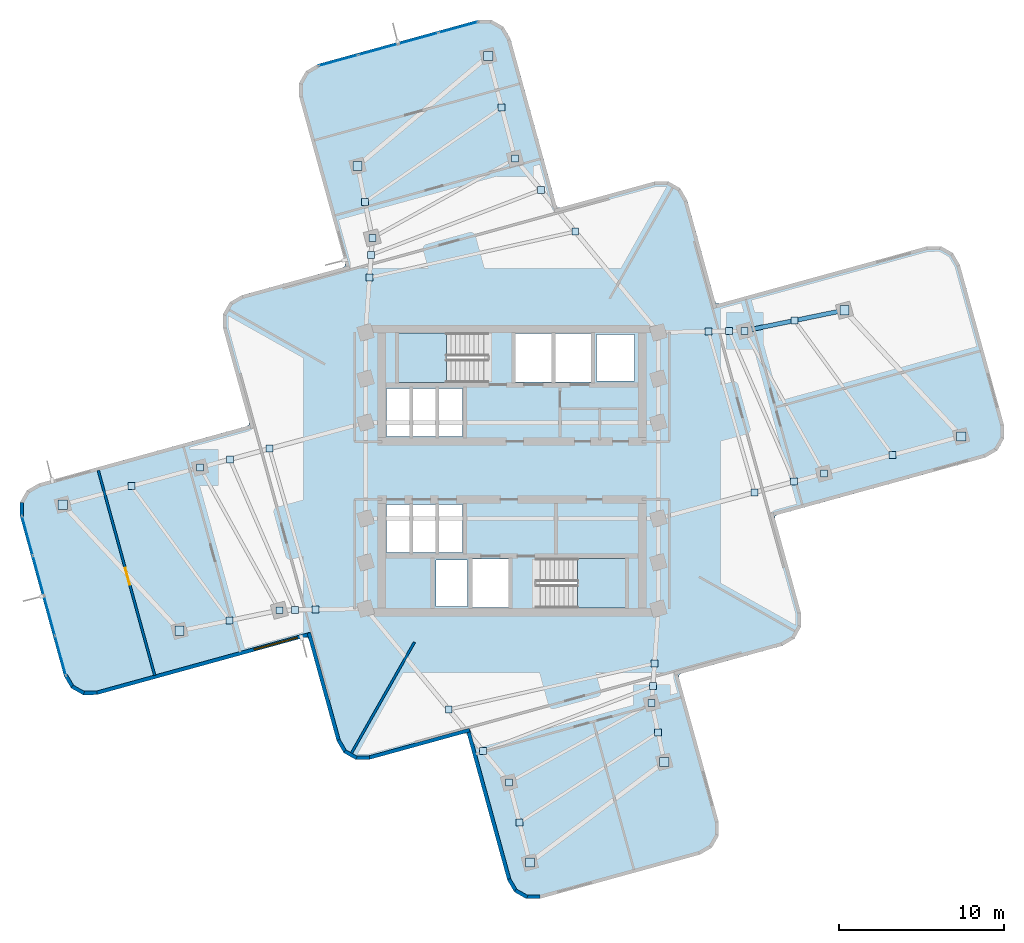
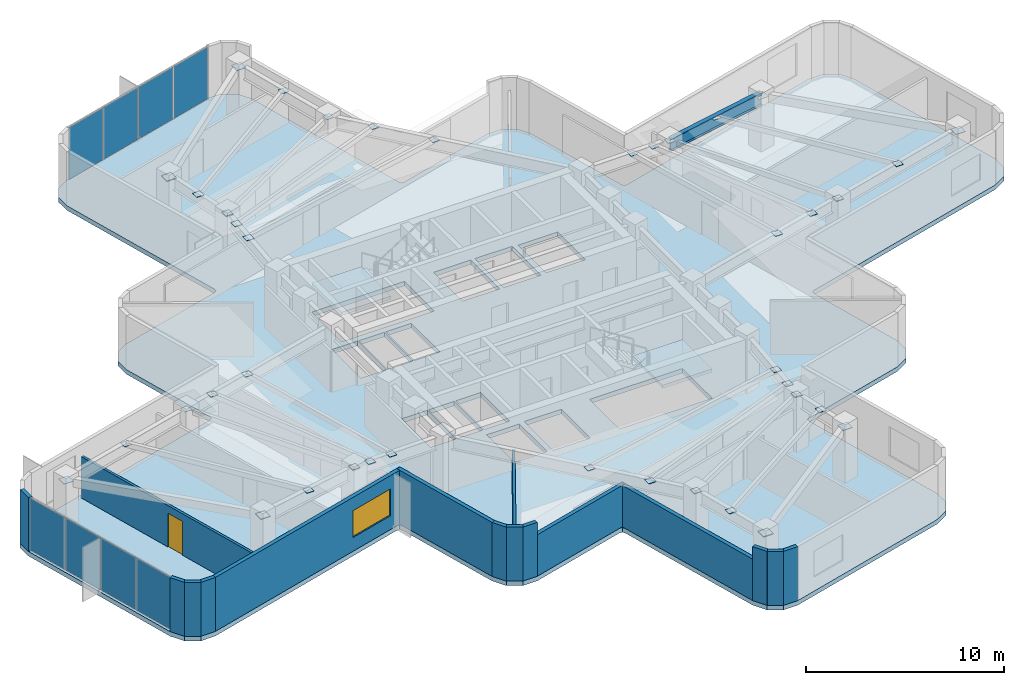
# One storey, part 6 of 12: 48 plates, 16 walls, 3 slabs, 1 beam, 1 door, 1 window, 2 openings, 4 elements without a shape of their own.
"""IFC4 building model written with IfcOpenShell, lengths in metres."""

from ifc_helpers import new_model, si_unit, direction, frame, frame_2d, origin, origin_2d, place, context, subcontext, project, spatial, polyline, rectangle, i_section, outline, extrude, material, layer, layer_set, material_profile, profile_set, type_object, element, fill, aggregate, save


model = new_model("IFC4")

# Units and contexts
model_context = context("Model", 3, precision=1e-05, world=origin(), true_north=direction((0.0, 1.0)))
body_context = subcontext(model_context, "Body", "Model", "MODEL_VIEW")
ifc_project = project(units=[si_unit("LENGTHUNIT", "METRE"), si_unit("AREAUNIT", "SQUARE_METRE"), si_unit("VOLUMEUNIT", "CUBIC_METRE"), si_unit("PLANEANGLEUNIT", "RADIAN"), si_unit("MASSUNIT", "GRAM", prefix="KILO")], contexts=[model_context])

# Site, building, storey
site_placement = place(None, origin())
site = spatial("IfcSite", under=ifc_project, at=site_placement, CompositionType="ELEMENT")
building_placement = place(site_placement, origin())
building = spatial("IfcBuilding", under=site, at=building_placement, Name="Solmarez Civic Tower", CompositionType="ELEMENT")
storey_placement = place(building_placement, frame((0.0, 0.0, 134.280029296875)))
storey = spatial("IfcBuildingStorey", under=building, at=storey_placement, Name="L35", CompositionType="ELEMENT", Elevation=134.280029296875)

# Beam
ifc_material_1 = material(Name="Steel S355", Category="steel")
ifc_material_profile = material_profile(ifc_material_1, i_section(OverallWidth=0.26708984375, OverallDepth=0.761962890625, WebThickness=0.014404296875, FlangeThickness=0.021484375, at=origin_2d()), Name="W30X116")
ifc_profile_set = profile_set([ifc_material_profile], Name="Steel S355")
beam_type = type_object("IfcBeamType", Name="BM-PR-W30X116", PredefinedType="BEAM", material=ifc_profile_set)
beam_placement = place(storey_placement, frame((14.06396484375, 8.445068359375, 2.93896484375), z_axis=(0.979311082476, 0.202360578523, 0.0), x_axis=(-0.202360578523, 0.979311082476, 0.0)))
element("IfcBeam", 1, at=beam_placement, inside=storey, type_object=beam_type, Name="L35 Primary Floor Beam BM-L35-EA-R2B", PredefinedType="BEAM", context=body_context, shape_type="SweptSolid", body=[
    extrude(i_section(OverallWidth=0.26708984375, OverallDepth=0.761962890625, WebThickness=0.014404296875, FlangeThickness=0.021484375, at=origin_2d()), origin(), (0.0, 0.0, 1.0), 6.161376953125),
])

# Curtain wall, plates
ifc_material_2 = material(Name="Bronze Anodised Aluminium EN AW-6063 T6", Category="aluminium")
ifc_layer_1 = layer(ifc_material_2, 0.175048828125)
ifc_layer_set_1 = layer_set([ifc_layer_1], Name="Bronze Anodised Aluminium EN AW-6063 T6")
curtain_wall_type = type_object("IfcCurtainWallType", Name="CW-SYS-3", PredefinedType="NOTDEFINED", material=ifc_layer_set_1)
curtain_wall_1_placement = place(storey_placement, origin())
curtain_wall_1 = element("IfcCurtainWall", 2, at=curtain_wall_1_placement, inside=storey, type_object=curtain_wall_type, Name="L35 Stick-Built Curtain Wall 1", PredefinedType="NOTDEFINED")
ifc_material_3 = material(Name="Solar Control Low-E Laminated Vision Glass", Category="glass")
ifc_layer_2 = layer(ifc_material_3, 0.035888671875)
ifc_layer_set_2 = layer_set([ifc_layer_2], Name="Solar Control Low-E Laminated Vision Glass")
plate_type_1 = type_object("IfcPlateType", Name="CWP-GLAZ-36", PredefinedType="CURTAIN_PANEL", material=ifc_layer_set_2)
plate_1_placement = place(storey_placement, frame((-27.29931640625, -11.187744140625, 0.06005859375), z_axis=(0.0, 0.0, 1.0), x_axis=(-0.265572271208, 0.964090954612, 0.0)))
plate_1 = element("IfcPlate", 3, at=plate_1_placement, type_object=plate_type_1, Name="CWS3 panel 1.1", PredefinedType="CURTAIN_PANEL", context=body_context, shape_type="SweptSolid", body=[
    extrude(rectangle(XDim=2.417724609375, YDim=0.035888671875, at=origin_2d()), origin(), (0.0, 0.0, 1.0), 3.199951171875),
])
plate_2_placement = place(storey_placement, frame((-27.962890625, -8.778564453125, 0.06005859375), z_axis=(0.0, 0.0, 1.0), x_axis=(-0.265572271208, 0.964090954612, 0.0)))
plate_2 = element("IfcPlate", 4, at=plate_2_placement, type_object=plate_type_1, Name="CWS3 panel 2.1", PredefinedType="CURTAIN_PANEL", context=body_context, shape_type="SweptSolid", body=[
    extrude(rectangle(XDim=2.450439453125, YDim=0.035888671875, at=origin_2d()), origin(), (0.0, 0.0, 1.0), 3.199951171875),
])
plate_3_placement = place(storey_placement, frame((-28.631103515625, -6.353515625, 0.06005859375), z_axis=(0.0, 0.0, 1.0), x_axis=(-0.265572271208, 0.964090954612, 0.0)))
plate_3 = element("IfcPlate", 5, at=plate_3_placement, type_object=plate_type_1, Name="CWS3 panel 3.1", PredefinedType="CURTAIN_PANEL", context=body_context, shape_type="SweptSolid", body=[
    extrude(rectangle(XDim=2.450439453125, YDim=0.035888671875, at=origin_2d()), origin(), (0.0, 0.0, 1.0), 3.199951171875),
])
plate_4_placement = place(storey_placement, frame((-29.294677734375, -3.944091796875, 0.06005859375), z_axis=(0.0, 0.0, 1.0), x_axis=(-0.265572271208, 0.964090954612, 0.0)))
plate_4 = element("IfcPlate", 6, at=plate_4_placement, type_object=plate_type_1, Name="CWS3 panel 4.1", PredefinedType="CURTAIN_PANEL", context=body_context, shape_type="SweptSolid", body=[
    extrude(rectangle(XDim=2.417724609375, YDim=0.035888671875, at=origin_2d()), origin(), (0.0, 0.0, 1.0), 3.199951171875),
])
aggregate(curtain_wall_1, [plate_1, plate_2, plate_3, plate_4])

curtain_wall_2_placement = place(storey_placement, origin())
curtain_wall_2 = element("IfcCurtainWall", 7, at=curtain_wall_2_placement, inside=storey, type_object=curtain_wall_type, Name="L35 Stick-Built Curtain Wall 2", PredefinedType="NOTDEFINED")
plate_5_placement = place(storey_placement, frame((-10.4970703125, 24.792236328125, 0.06005859375), z_axis=(0.0, 0.0, 1.0), x_axis=(0.964083943704, 0.265597721172, 0.0)))
plate_5 = element("IfcPlate", 8, at=plate_5_placement, type_object=plate_type_1, Name="CWS3 panel 1.1", PredefinedType="CURTAIN_PANEL", context=body_context, shape_type="SweptSolid", body=[
    extrude(rectangle(XDim=2.41748046875, YDim=0.035888671875, at=origin_2d()), origin(), (0.0, 0.0, 1.0), 3.199951171875),
])
plate_6_placement = place(storey_placement, frame((-8.087890625, 25.4560546875, 0.06005859375), z_axis=(0.0, 0.0, 1.0), x_axis=(0.964083943704, 0.265597721172, 0.0)))
plate_6 = element("IfcPlate", 9, at=plate_6_placement, type_object=plate_type_1, Name="CWS3 panel 2.1", PredefinedType="CURTAIN_PANEL", context=body_context, shape_type="SweptSolid", body=[
    extrude(rectangle(XDim=2.4501953125, YDim=0.035888671875, at=origin_2d()), origin(), (0.0, 0.0, 1.0), 3.199951171875),
])
plate_7_placement = place(storey_placement, frame((-5.6630859375, 26.1240234375, 0.06005859375), z_axis=(0.0, 0.0, 1.0), x_axis=(0.964083943704, 0.265597721172, 0.0)))
plate_7 = element("IfcPlate", 10, at=plate_7_placement, type_object=plate_type_1, Name="CWS3 panel 3.1", PredefinedType="CURTAIN_PANEL", context=body_context, shape_type="SweptSolid", body=[
    extrude(rectangle(XDim=2.4501953125, YDim=0.035888671875, at=origin_2d()), origin(), (0.0, 0.0, 1.0), 3.199951171875),
])
plate_8_placement = place(storey_placement, frame((-3.254150390625, 26.78759765625, 0.06005859375), z_axis=(0.0, 0.0, 1.0), x_axis=(0.964083943704, 0.265597721172, 0.0)))
plate_8 = element("IfcPlate", 11, at=plate_8_placement, type_object=plate_type_1, Name="CWS3 panel 4.1", PredefinedType="CURTAIN_PANEL", context=body_context, shape_type="SweptSolid", body=[
    extrude(rectangle(XDim=2.41748046875, YDim=0.035888671875, at=origin_2d()), origin(), (0.0, 0.0, 1.0), 3.199951171875),
])
aggregate(curtain_wall_2, [plate_5, plate_6, plate_7, plate_8])

# Plates
ifc_layer_3 = layer(ifc_material_1, 0.02392578125)
ifc_layer_set_3 = layer_set([ifc_layer_3], Name="Steel S355")
plate_type_2 = type_object("IfcPlateType", Name="PLT-CAP-380", PredefinedType="USERDEFINED", material=ifc_layer_set_3)
for number, where, z_axis, x_axis, name in (
    (12, (18.860107421875, -0.18310546875, 3.157958984375), (0.0, 0.0, 1.0), (1.0, 0.0, 0.0), "Steel Member End Cap Plate CAP-BM-L35-EA-T1-0"),
    (13, (14.06396484375, 8.445068359375, 3.157958984375), (0.0, 0.0, 1.0), (1.0, 0.0, 0.0), "Steel Member End Cap Plate CAP-BM-L35-EA-T1-1"),
    (14, (23.006103515625, 0.94091796875, 3.157958984375), (0.0, 0.0, 1.0), (1.0, 0.0, 0.0), "Steel Member End Cap Plate CAP-JS-L35-EA-M2-0"),
    (15, (17.0810546875, 9.069091796875, 3.157958984375), (0.0, 0.0, 1.0), (1.0, 0.0, 0.0), "Steel Member End Cap Plate CAP-JS-L35-EA-M2-1"),
    (16, (14.656005859375, -1.323974609375, 3.157958984375), (0.0, 0.0, 1.0), (1.0, 0.0, 0.0), "Steel Member End Cap Plate CAP-JS-L35-EA-M11-0"),
    (17, (11.8740234375, 8.405029296875, 3.157958984375), (0.0, 0.0, 1.0), (1.0, 0.0, 0.0), "Steel Member End Cap Plate CAP-JS-L35-EA-M11-1"),
    (18, (17.05810546875, -0.672119140625, 3.157958984375), (0.0, 0.0, 1.0), (1.0, 0.0, 0.0), "Steel Member End Cap Plate CAP-JS-L35-EA-M12-0"),
    (19, (13.125, 8.427978515625, 3.157958984375), (0.0, 0.0, 1.0), (1.0, 0.0, 0.0), "Steel Member End Cap Plate CAP-JS-L35-EA-M12-1"),
    (20, (0.18310546875, 18.860107421875, 3.157958984375), (0.0, 0.0, 1.0), (1.0, 0.0, 0.0), "Steel Member End Cap Plate CAP-BM-L35-NA-T1-0"),
    (21, (-8.445068359375, 14.06396484375, 3.157958984375), (0.0, 0.0, 1.0), (1.0, 0.0, 0.0), "Steel Member End Cap Plate CAP-BM-L35-NA-T1-1"),
    (22, (-0.626953125, 21.9560546875, 3.157958984375), (0.0, 0.0, 1.0), (1.0, 0.0, 0.0), "Steel Member End Cap Plate CAP-JS-L35-NA-M2-0"),
    (23, (-8.888916015625, 16.236083984375, 3.157958984375), (0.0, 0.0, 1.0), (1.0, 0.0, 0.0), "Steel Member End Cap Plate CAP-JS-L35-NA-M2-1"),
    (24, (3.822998046875, 14.446044921875, 3.157958984375), (0.0, 0.0, 1.0), (1.0, 0.0, 0.0), "Steel Member End Cap Plate CAP-JS-L35-NA-M11-0"),
    (25, (-8.614990234375, 11.6640625, 3.157958984375), (0.0, 0.0, 1.0), (1.0, 0.0, 0.0), "Steel Member End Cap Plate CAP-JS-L35-NA-M11-1"),
    (26, (1.742919921875, 16.968017578125, 3.157958984375), (0.0, 0.0, 1.0), (1.0, 0.0, 0.0), "Steel Member End Cap Plate CAP-JS-L35-NA-M12-0"),
    (27, (-8.51806640625, 13.034912109375, 3.157958984375), (0.0, 0.0, 1.0), (1.0, 0.0, 0.0), "Steel Member End Cap Plate CAP-JS-L35-NA-M12-1"),
    (28, (-18.860107421875, 0.18310546875, 3.157958984375), (0.0, 0.0, 1.0), (1.0, 0.0, 0.0), "Steel Member End Cap Plate CAP-BM-L35-WA-T1-0"),
    (29, (-14.06396484375, -8.445068359375, 3.157958984375), (0.0, 0.0, 1.0), (1.0, 0.0, 0.0), "Steel Member End Cap Plate CAP-BM-L35-WA-T1-1"),
    (30, (-23.006103515625, -0.94091796875, 3.157958984375), (0.0, 0.0, 1.0), (1.0, 0.0, 0.0), "Steel Member End Cap Plate CAP-JS-L35-WA-M2-0"),
    (31, (-17.0810546875, -9.069091796875, 3.157958984375), (0.0, 0.0, 1.0), (1.0, 0.0, 0.0), "Steel Member End Cap Plate CAP-JS-L35-WA-M2-1"),
    (32, (-14.656005859375, 1.323974609375, 3.157958984375), (0.0, 0.0, 1.0), (1.0, 0.0, 0.0), "Steel Member End Cap Plate CAP-JS-L35-WA-M11-0"),
    (33, (-11.8740234375, -8.405029296875, 3.157958984375), (0.0, 0.0, 1.0), (1.0, 0.0, 0.0), "Steel Member End Cap Plate CAP-JS-L35-WA-M11-1"),
    (34, (-17.05810546875, 0.672119140625, 3.157958984375), (0.0, 0.0, 1.0), (1.0, 0.0, 0.0), "Steel Member End Cap Plate CAP-JS-L35-WA-M12-0"),
    (35, (-13.125, -8.427978515625, 3.157958984375), (0.0, 0.0, 1.0), (1.0, 0.0, 0.0), "Steel Member End Cap Plate CAP-JS-L35-WA-M12-1"),
    (36, (-0.18310546875, -18.860107421875, 3.157958984375), (0.0, 0.0, 1.0), (1.0, 0.0, 0.0), "Steel Member End Cap Plate CAP-BM-L35-SA-T1-0"),
    (37, (8.445068359375, -14.06396484375, 3.157958984375), (0.0, 0.0, 1.0), (1.0, 0.0, 0.0), "Steel Member End Cap Plate CAP-BM-L35-SA-T1-1"),
    (38, (0.449951171875, -21.279052734375, 3.157958984375), (0.0, 0.0, 1.0), (1.0, 0.0, 0.0), "Steel Member End Cap Plate CAP-JS-L35-SA-M2-0"),
    (39, (8.825927734375, -15.839111328125, 3.157958984375), (0.0, 0.0, 1.0), (1.0, 0.0, 0.0), "Steel Member End Cap Plate CAP-JS-L35-SA-M2-1"),
    (40, (-3.822998046875, -14.446044921875, 3.157958984375), (0.0, 0.0, 1.0), (1.0, 0.0, 0.0), "Steel Member End Cap Plate CAP-JS-L35-SA-M11-0"),
    (41, (8.614990234375, -11.6640625, 3.157958984375), (0.0, 0.0, 1.0), (1.0, 0.0, 0.0), "Steel Member End Cap Plate CAP-JS-L35-SA-M11-1"),
    (42, (-1.742919921875, -16.968017578125, 3.157958984375), (0.0, 0.0, 1.0), (1.0, 0.0, 0.0), "Steel Member End Cap Plate CAP-JS-L35-SA-M12-0"),
    (43, (8.51806640625, -13.034912109375, 3.157958984375), (0.0, 0.0, 1.0), (1.0, 0.0, 0.0), "Steel Member End Cap Plate CAP-JS-L35-SA-M12-1"),
):
    element("IfcPlate", number, at=place(storey_placement, frame(where, z_axis=z_axis, x_axis=x_axis)), inside=storey, type_object=plate_type_2, Name=name, ObjectType="CAP_PLATE", PredefinedType="USERDEFINED", context=body_context, shape_type="SweptSolid", body=[
        extrude(rectangle(XDim=0.419921875, YDim=0.419921875, at=origin_2d()), origin(), (0.0, 0.0, 1.0), 0.02392578125),
    ])
ifc_layer_4 = layer(ifc_material_1, 0.028076171875)
ifc_layer_set_4 = layer_set([ifc_layer_4], Name="Steel S355")
plate_type_3 = type_object("IfcPlateType", Name="PLT-CAP-540", PredefinedType="USERDEFINED", material=ifc_layer_set_4)
for number, where, z_axis, x_axis, name in (
    (44, (27.153076171875, 2.06396484375, 3.05615234375), (0.0, 0.0, 1.0), (1.0, 0.0, 0.0), "Steel Member End Cap Plate CAP-BM-L35-EA-T2-0"),
    (45, (20.097900390625, 9.69189453125, 3.05615234375), (0.0, 0.0, 1.0), (1.0, 0.0, 0.0), "Steel Member End Cap Plate CAP-BM-L35-EA-T2-1"),
    (46, (-1.43701171875, 25.052001953125, 3.05615234375), (0.0, 0.0, 1.0), (1.0, 0.0, 0.0), "Steel Member End Cap Plate CAP-BM-L35-NA-T2-0"),
    (47, (-9.3330078125, 18.408935546875, 3.05615234375), (0.0, 0.0, 1.0), (1.0, 0.0, 0.0), "Steel Member End Cap Plate CAP-BM-L35-NA-T2-1"),
    (48, (-27.153076171875, -2.06396484375, 3.05615234375), (0.0, 0.0, 1.0), (1.0, 0.0, 0.0), "Steel Member End Cap Plate CAP-BM-L35-WA-T2-0"),
    (49, (-20.097900390625, -9.69189453125, 3.05615234375), (0.0, 0.0, 1.0), (1.0, 0.0, 0.0), "Steel Member End Cap Plate CAP-BM-L35-WA-T2-1"),
    (50, (1.0830078125, -23.697021484375, 3.05615234375), (0.0, 0.0, 1.0), (1.0, 0.0, 0.0), "Steel Member End Cap Plate CAP-BM-L35-SA-T2-0"),
    (51, (9.2080078125, -17.614990234375, 3.05615234375), (0.0, 0.0, 1.0), (1.0, 0.0, 0.0), "Steel Member End Cap Plate CAP-BM-L35-SA-T2-1"),
):
    element("IfcPlate", number, at=place(storey_placement, frame(where, z_axis=z_axis, x_axis=x_axis)), inside=storey, type_object=plate_type_3, Name=name, ObjectType="CAP_PLATE", PredefinedType="USERDEFINED", context=body_context, shape_type="SweptSolid", body=[
        extrude(rectangle(XDim=0.56005859375, YDim=0.56005859375, at=origin_2d()), origin(), (0.0, 0.0, 1.0), 0.028076171875),
    ])

# Stair, slab
ifc_material_4 = material(Name="Concrete C50/60", Category="concrete")
stair_type = type_object("IfcStairType", Name="STAIR-DOGLEG-140W-20R-1800", PredefinedType="HALF_TURN_STAIR", material=ifc_material_4)
stair_1_placement = place(storey_placement, origin())
stair_1 = element("IfcStair", 52, at=stair_1_placement, inside=storey, type_object=stair_type, Name="L35 North Core Protected Exit Stair ST-1", PredefinedType="HALF_TURN_STAIR")
ifc_layer_5 = layer(ifc_material_4, 0.199951171875)
ifc_layer_set_5 = layer_set([ifc_layer_5], Name="Concrete C50/60")
slab_type_1 = type_object("IfcSlabType", Name="SLAB-LANDING-200", PredefinedType="LANDING", material=ifc_layer_set_5)
slab_1_placement = place(storey_placement, frame((0.0, 0.0, 1.599853515625)))
slab_1 = element("IfcSlab", 53, at=slab_1_placement, type_object=slab_type_1, Name="ST-1 landing 1", PredefinedType="LANDING", context=body_context, shape_type="SweptSolid", body=[
    extrude(outline(polyline([(-3.969970703125, 8.320068359375), (-6.85009765625, 8.320068359375), (-6.85009765625, 5.320068359375), (-3.969970703125, 5.320068359375), (-3.969970703125, 8.320068359375)])), origin(), (0.0, 0.0, 1.0), 0.2001953125),
])
aggregate(stair_1, [slab_1])

stair_2_placement = place(storey_placement, origin())
stair_2 = element("IfcStair", 54, at=stair_2_placement, inside=storey, type_object=stair_type, Name="L35 South Core Protected Exit Stair ST-2", PredefinedType="HALF_TURN_STAIR")
slab_2_placement = place(storey_placement, frame((0.0, 0.0, 1.599853515625)))
slab_2 = element("IfcSlab", 55, at=slab_2_placement, type_object=slab_type_1, Name="ST-2 landing 1", PredefinedType="LANDING", context=body_context, shape_type="SweptSolid", body=[
    extrude(outline(polyline([(3.969970703125, -8.320068359375), (6.85009765625, -8.320068359375), (6.85009765625, -5.320068359375), (3.969970703125, -5.320068359375), (3.969970703125, -8.320068359375)])), origin(), (0.0, 0.0, 1.0), 0.2001953125),
])
aggregate(stair_2, [slab_2])

# Slab
ifc_layer_6 = layer(ifc_material_4, 0.280029296875)
ifc_layer_set_6 = layer_set([ifc_layer_6], Name="Concrete C50/60")
slab_type_2 = type_object("IfcSlabType", Name="SLAB-TOWER-280", PredefinedType="FLOOR", material=ifc_layer_set_6)
slab_3_placement = place(storey_placement, frame((0.0, 0.0, -0.280029296875)))
element("IfcSlab", 56, at=slab_3_placement, inside=storey, type_object=slab_type_2, Name="L35 Structural Slab", PredefinedType="FLOOR", context=body_context, shape_type="SweptSolid", body=[
    extrude(outline(polyline([(-12.27197265625, -10.237060546875), (-10.589111328125, -16.34912109375), (-10.169921875, -17.06298828125), (-9.448974609375, -17.471923828125), (-8.62109375, -17.467041015625), (-2.93408203125, -15.89990234375), (-2.761962890625, -15.89892578125), (-2.675048828125, -16.047119140625), (-0.27392578125, -24.761962890625), (0.14501953125, -25.47607421875), (0.864990234375, -25.885009765625), (1.693115234375, -25.8798828125), (11.373046875, -23.212890625), (12.0869140625, -22.7939453125), (12.49609375, -22.073974609375), (12.489990234375, -21.24609375), (10.090087890625, -12.531005859375), (10.089111328125, -12.35888671875), (10.237060546875, -12.27197265625), (16.34912109375, -10.589111328125), (17.06298828125, -10.169921875), (17.471923828125, -9.448974609375), (17.467041015625, -8.62109375), (15.89990234375, -2.93408203125), (15.89892578125, -2.761962890625), (16.047119140625, -2.675048828125), (28.617919921875, 0.7880859375), (29.3330078125, 1.20703125), (29.741943359375, 1.927001953125), (29.736083984375, 2.7548828125), (27.070068359375, 12.43505859375), (26.65087890625, 13.14892578125), (25.929931640625, 13.55810546875), (25.10205078125, 13.552978515625), (12.531005859375, 10.090087890625), (12.35888671875, 10.089111328125), (12.27197265625, 10.237060546875), (10.589111328125, 16.34912109375), (10.169921875, 17.06298828125), (9.448974609375, 17.471923828125), (8.62109375, 17.467041015625), (2.93408203125, 15.89990234375), (2.761962890625, 15.89892578125), (2.675048828125, 16.047119140625), (-0.097900390625, 26.112060546875), (-0.51708984375, 26.825927734375), (-1.237060546875, 27.235107421875), (-2.06494140625, 27.22900390625), (-11.7451171875, 24.56298828125), (-12.458984375, 24.14404296875), (-12.867919921875, 23.424072265625), (-12.862060546875, 22.595947265625), (-10.090087890625, 12.531005859375), (-10.089111328125, 12.35888671875), (-10.237060546875, 12.27197265625), (-16.34912109375, 10.589111328125), (-17.06298828125, 10.169921875), (-17.471923828125, 9.448974609375), (-17.467041015625, 8.62109375), (-15.89990234375, 2.93408203125), (-15.89892578125, 2.761962890625), (-16.047119140625, 2.675048828125), (-28.617919921875, -0.7880859375), (-29.3330078125, -1.20703125), (-29.741943359375, -1.927001953125), (-29.736083984375, -2.7548828125), (-27.070068359375, -12.43505859375), (-26.65087890625, -13.14892578125), (-25.929931640625, -13.55810546875), (-25.10205078125, -13.552978515625), (-12.531005859375, -10.090087890625), (-12.35888671875, -10.089111328125), (-12.27197265625, -10.237060546875)]), holes=[polyline([(-1.449951171875, 8.320068359375), (-6.85009765625, 8.320068359375), (-6.85009765625, 5.320068359375), (-1.449951171875, 5.320068359375), (-1.449951171875, 8.320068359375)]), polyline([(1.449951171875, -8.320068359375), (6.85009765625, -8.320068359375), (6.85009765625, -5.320068359375), (1.449951171875, -5.320068359375), (1.449951171875, -8.320068359375)]), polyline([(0.219970703125, 5.360107421875), (2.3798828125, 5.360107421875), (2.3798828125, 8.280029296875), (0.219970703125, 8.280029296875), (0.219970703125, 5.360107421875)]), polyline([(2.6201171875, 5.360107421875), (4.780029296875, 5.360107421875), (4.780029296875, 8.280029296875), (2.6201171875, 8.280029296875), (2.6201171875, 5.360107421875)]), polyline([(-2.3798828125, -8.280029296875), (-0.219970703125, -8.280029296875), (-0.219970703125, -5.360107421875), (-2.3798828125, -5.360107421875), (-2.3798828125, -8.280029296875)]), polyline([(-7.60009765625, -4.9599609375), (-6.1201171875, -4.9599609375), (-6.1201171875, -2.06005859375), (-7.60009765625, -2.06005859375), (-7.60009765625, -4.9599609375)]), polyline([(-6.0400390625, -4.9599609375), (-4.56005859375, -4.9599609375), (-4.56005859375, -2.06005859375), (-6.0400390625, -2.06005859375), (-6.0400390625, -4.9599609375)]), polyline([(-4.47998046875, -4.9599609375), (-3.0, -4.9599609375), (-3.0, -2.06005859375), (-4.47998046875, -2.06005859375), (-4.47998046875, -4.9599609375)]), polyline([(-7.60009765625, 2.06005859375), (-6.1201171875, 2.06005859375), (-6.1201171875, 4.9599609375), (-7.60009765625, 4.9599609375), (-7.60009765625, 2.06005859375)]), polyline([(-6.0400390625, 2.06005859375), (-4.56005859375, 2.06005859375), (-4.56005859375, 4.9599609375), (-6.0400390625, 4.9599609375), (-6.0400390625, 2.06005859375)]), polyline([(-4.47998046875, 2.06005859375), (-3.0, 2.06005859375), (-3.0, 4.9599609375), (-4.47998046875, 4.9599609375), (-4.47998046875, 2.06005859375)]), polyline([(5.10009765625, 5.419921875), (7.39990234375, 5.419921875), (7.39990234375, 8.219970703125), (5.10009765625, 8.219970703125), (5.10009765625, 5.419921875)]), polyline([(-4.60009765625, -8.219970703125), (-2.699951171875, -8.219970703125), (-2.699951171875, -5.419921875), (-4.60009765625, -5.419921875), (-4.60009765625, -8.219970703125)])]), origin(), (0.0, 0.0, 1.0), 0.280029296875),
])

# Wall, opening, window
ifc_material_5 = material(Name="Precast concrete C40/50", Category="concrete")
ifc_layer_7 = layer(ifc_material_5, 0.219970703125)
ifc_layer_set_7 = layer_set([ifc_layer_7], Name="Precast concrete C40/50")
wall_type_1 = type_object("IfcWallType", Name="WALL-EXT-220", PredefinedType="SOLIDWALL", material=ifc_layer_set_7)
wall_1_placement = place(storey_placement, frame((-12.166015625, -9.8759765625, 0.0), z_axis=(0.0, 0.0, 1.0), x_axis=(-0.964099811745, -0.2655401156, 0.0)))
wall_1 = element("IfcWall", 57, at=wall_1_placement, inside=storey, type_object=wall_type_1, Name="L35 Exterior Precast Wall 2", PredefinedType="SOLIDWALL", context=body_context, shape_type="SweptSolid", body=[
    extrude(rectangle(XDim=13.459228515625, YDim=0.219970703125, at=frame_2d((6.7294921875, 0.0))), origin(), (0.0, 0.0, 1.0), 3.320068359375),
])
opening_1_placement = place(wall_1_placement, frame((0.85009765625, 0.0, 0.85009765625)))
opening_1 = element("IfcOpeningElement", 58, at=opening_1_placement, cuts=wall_1, Name="Opening W-09", PredefinedType="OPENING", context=body_context, shape_type="SweptSolid", body=[
    extrude(rectangle(XDim=2.699951171875, YDim=1.64990234375, at=frame_2d((1.35009765625, 0.824951171875))), frame((0.0, 0.119873046875, 0.0), z_axis=(0.0, -1.0, 0.0), x_axis=(1.0, 0.0, 0.0)), (0.0, 0.0, 1.0), 0.239990234375),
])
ifc_material_6 = material(Name="Solar Control Bronze-Tinted Insulating Glass", Category="glass")
window_type = type_object("IfcWindowType", Name="WIN-2700X1650", PartitioningType="SINGLE_PANEL", PredefinedType="WINDOW", material=ifc_material_6)
window_placement = place(opening_1_placement, origin())
window = element("IfcWindow", 59, at=window_placement, inside=storey, type_object=window_type, Name="L35 Exterior Facade Window 2", OverallHeight=1.64990234375, OverallWidth=2.699951171875, PartitioningType="SINGLE_PANEL", PredefinedType="WINDOW", context=body_context, shape_type="SweptSolid", body=[
    extrude(rectangle(XDim=2.699951171875, YDim=1.64990234375, at=frame_2d((1.35009765625, 0.824951171875))), frame((0.0, 0.030029296875, 0.0), z_axis=(0.0, -1.0, 0.0), x_axis=(1.0, 0.0, 0.0)), (0.0, 0.0, 1.0), 0.06005859375),
])
fill(opening_1, window)

# Walls
wall_2_placement = place(storey_placement, frame((-25.093017578125, -13.443115234375, 0.0), z_axis=(0.0, 0.0, 1.0), x_axis=(-0.999982861094, -0.005854700592, 0.0)))
element("IfcWall", 60, at=wall_2_placement, inside=storey, type_object=wall_type_1, Name="L35 Exterior Precast Wall 3", PredefinedType="SOLIDWALL", context=body_context, shape_type="SweptSolid", body=[
    extrude(rectangle(XDim=0.833984375, YDim=0.219970703125, at=frame_2d((0.4169921875, 0.0))), origin(), (0.0, 0.0, 1.0), 3.320068359375),
])
wall_3_placement = place(storey_placement, frame((-25.8798828125, -13.4599609375, 0.0), z_axis=(0.0, 0.0, 1.0), x_axis=(-0.87005199541, 0.492959963164, 0.0)))
element("IfcWall", 61, at=wall_3_placement, inside=storey, type_object=wall_type_1, Name="L35 Exterior Precast Wall 4", PredefinedType="SOLIDWALL", context=body_context, shape_type="SweptSolid", body=[
    extrude(rectangle(XDim=0.819580078125, YDim=0.219970703125, at=frame_2d((0.40966796875, 0.0))), origin(), (0.0, 0.0, 1.0), 3.320068359375),
])
wall_4_placement = place(storey_placement, frame((-26.55810546875, -13.090087890625, 0.0), z_axis=(0.0, 0.0, 1.0), x_axis=(-0.506432207312, 0.862279780232, 0.0)))
element("IfcWall", 62, at=wall_4_placement, inside=storey, type_object=wall_type_1, Name="L35 Exterior Precast Wall 5", PredefinedType="SOLIDWALL", context=body_context, shape_type="SweptSolid", body=[
    extrude(rectangle(XDim=0.8349609375, YDim=0.219970703125, at=frame_2d((0.41748046875, 0.0))), origin(), (0.0, 0.0, 1.0), 3.320068359375),
])
for number, where, z_axis, x_axis, name in (
    (63, (-29.6259765625, -2.764892578125, 0.0), (0.0, 0.0, 1.0), (-0.006147424822, 0.999981104406, 0.0), "L35 Exterior Precast Wall 7"),
    (64, (1.702880859375, -25.77001953125, 0.0), (0.0, 0.0, 1.0), (-0.999982861094, -0.005854700592, 0.0), "L35 Exterior Precast Wall 61"),
):
    element("IfcWall", number, at=place(storey_placement, frame(where, z_axis=z_axis, x_axis=x_axis)), inside=storey, type_object=wall_type_1, Name=name, PredefinedType="SOLIDWALL", context=body_context, shape_type="SweptSolid", body=[
        extrude(rectangle(XDim=0.833984375, YDim=0.219970703125, at=frame_2d((0.4169921875, 0.0))), origin(), (0.0, 0.0, 1.0), 3.320068359375),
    ])
wall_5_placement = place(storey_placement, frame((0.916015625, -25.787109375, 0.0), z_axis=(0.0, 0.0, 1.0), x_axis=(-0.87005199541, 0.492959963164, 0.0)))
element("IfcWall", 65, at=wall_5_placement, inside=storey, type_object=wall_type_1, Name="L35 Exterior Precast Wall 62", PredefinedType="SOLIDWALL", context=body_context, shape_type="SweptSolid", body=[
    extrude(rectangle(XDim=0.819580078125, YDim=0.219970703125, at=frame_2d((0.40966796875, 0.0))), origin(), (0.0, 0.0, 1.0), 3.320068359375),
])
wall_6_placement = place(storey_placement, frame((0.238037109375, -25.4169921875, 0.0), z_axis=(0.0, 0.0, 1.0), x_axis=(-0.506649564178, 0.86215208584, 0.0)))
element("IfcWall", 66, at=wall_6_placement, inside=storey, type_object=wall_type_1, Name="L35 Exterior Precast Wall 63", PredefinedType="SOLIDWALL", context=body_context, shape_type="SweptSolid", body=[
    extrude(rectangle(XDim=0.835205078125, YDim=0.219970703125, at=frame_2d((0.41748046875, 0.0))), origin(), (0.0, 0.0, 1.0), 3.320068359375),
])
wall_7_placement = place(storey_placement, frame((-0.1650390625, -24.742919921875, 0.0), z_axis=(0.0, 0.0, 1.0), x_axis=(-0.265479834686, 0.964116412771, 0.0)))
element("IfcWall", 67, at=wall_7_placement, inside=storey, type_object=wall_type_1, Name="L35 Exterior Precast Wall 64", PredefinedType="SOLIDWALL", context=body_context, shape_type="SweptSolid", body=[
    extrude(rectangle(XDim=9.458251953125, YDim=0.219970703125, at=frame_2d((4.72900390625, 0.0))), origin(), (0.0, 0.0, 1.0), 2.550048828125),
])
wall_8_placement = place(storey_placement, frame((-2.568115234375, -15.68603515625, 0.0), z_axis=(0.0, 0.0, 1.0), x_axis=(-0.964094670911, -0.265558779784, 0.0)))
element("IfcWall", 68, at=wall_8_placement, inside=storey, type_object=wall_type_1, Name="L35 Exterior Precast Wall 67", PredefinedType="SOLIDWALL", context=body_context, shape_type="SweptSolid", body=[
    extrude(rectangle(XDim=6.318603515625, YDim=0.219970703125, at=frame_2d((3.1591796875, 0.0))), origin(), (0.0, 0.0, 1.0), 2.550048828125),
])
wall_9_placement = place(storey_placement, frame((-8.611083984375, -17.35693359375, 0.0), z_axis=(0.0, 0.0, 1.0), x_axis=(-0.999981148579, -0.006140235123, 0.0)))
element("IfcWall", 69, at=wall_9_placement, inside=storey, type_object=wall_type_1, Name="L35 Exterior Precast Wall 68", PredefinedType="SOLIDWALL", context=body_context, shape_type="SweptSolid", body=[
    extrude(rectangle(XDim=0.8349609375, YDim=0.219970703125, at=frame_2d((0.41748046875, 0.0))), origin(), (0.0, 0.0, 1.0), 3.320068359375),
])
wall_10_placement = place(storey_placement, frame((-9.39892578125, -17.3740234375, 0.0), z_axis=(0.0, 0.0, 1.0), x_axis=(-0.87005199541, 0.492959963164, 0.0)))
element("IfcWall", 70, at=wall_10_placement, inside=storey, type_object=wall_type_1, Name="L35 Exterior Precast Wall 69", PredefinedType="SOLIDWALL", context=body_context, shape_type="SweptSolid", body=[
    extrude(rectangle(XDim=0.819580078125, YDim=0.219970703125, at=frame_2d((0.40966796875, 0.0))), origin(), (0.0, 0.0, 1.0), 3.320068359375),
])
wall_11_placement = place(storey_placement, frame((-10.076904296875, -17.00390625, 0.0), z_axis=(0.0, 0.0, 1.0), x_axis=(-0.505779557172, 0.862662761192, 0.0)))
element("IfcWall", 71, at=wall_11_placement, inside=storey, type_object=wall_type_1, Name="L35 Exterior Precast Wall 70", PredefinedType="SOLIDWALL", context=body_context, shape_type="SweptSolid", body=[
    extrude(rectangle(XDim=0.83447265625, YDim=0.219970703125, at=frame_2d((0.417236328125, 0.0))), origin(), (0.0, 0.0, 1.0), 3.320068359375),
])
wall_12_placement = place(storey_placement, frame((-10.47900390625, -16.330078125, 0.0), z_axis=(0.0, 0.0, 1.0), x_axis=(-0.265567840793, 0.964092175021, 0.0)))
element("IfcWall", 72, at=wall_12_placement, inside=storey, type_object=wall_type_1, Name="L35 Exterior Precast Wall 71", PredefinedType="SOLIDWALL", context=body_context, shape_type="SweptSolid", body=[
    extrude(rectangle(XDim=6.7587890625, YDim=0.219970703125, at=frame_2d((3.37939453125, 0.0))), origin(), (0.0, 0.0, 1.0), 3.320068359375),
])
ifc_material_7 = material(Name="Gypsum Board Acoustic Steel-Stud Partition", Category="steel")
ifc_layer_8 = layer(ifc_material_7, 0.14501953125)
ifc_layer_set_8 = layer_set([ifc_layer_8], Name="Gypsum Board Acoustic Steel-Stud Partition")
wall_type_2 = type_object("IfcWallType", Name="WALL-INT-PART-150", PredefinedType="PARTITIONING", material=ifc_layer_set_8)
wall_13_placement = place(storey_placement, frame((-5.89697265625, -10.3798828125, 0.0), z_axis=(0.0, 0.0, 1.0), x_axis=(-0.49389771586, -0.869520009125, 0.0)))
element("IfcWall", 73, at=wall_13_placement, inside=storey, type_object=wall_type_2, Name="L35 Interior Partition PT-L35-QDIV-3", PredefinedType="PARTITIONING", context=body_context, shape_type="SweptSolid", body=[
    extrude(rectangle(XDim=7.736572265625, YDim=0.14501953125, at=frame_2d((3.8681640625, 0.0))), origin(), (0.0, 0.0, 1.0), 2.550048828125),
])

# Wall, opening, door
wall_14_placement = place(storey_placement, frame((-21.593994140625, -12.39501953125, 0.0), z_axis=(0.0, 0.0, 1.0), x_axis=(-0.265484036431, 0.964115255766, 0.0)))
wall_14 = element("IfcWall", 74, at=wall_14_placement, inside=storey, type_object=wall_type_2, Name="L35 Interior Partition PT-L35-W-SC2", PredefinedType="PARTITIONING", context=body_context, shape_type="SweptSolid", body=[
    extrude(rectangle(XDim=12.870849609375, YDim=0.14501953125, at=frame_2d((6.435546875, 0.0))), origin(), (0.0, 0.0, 1.0), 2.550048828125),
])
opening_2_placement = place(wall_14_placement, frame((5.68896484375, 0.0, 0.0)))
opening_2 = element("IfcOpeningElement", 75, at=opening_2_placement, cuts=wall_14, Name="Opening D-13", PredefinedType="OPENING", context=body_context, shape_type="SweptSolid", body=[
    extrude(rectangle(XDim=1.050048828125, YDim=2.080078125, at=frame_2d((0.52490234375, 1.0400390625))), frame((0.0, 0.08251953125, 0.0), z_axis=(0.0, -1.0, 0.0), x_axis=(1.0, 0.0, 0.0)), (0.0, 0.0, 1.0), 0.1650390625),
])
ifc_material_8 = material(Name="Timber Directorate Office Door", Category="wood")
door_type = type_object("IfcDoorType", Name="DOOR-INT-1050", OperationType="NOTDEFINED", PredefinedType="DOOR", material=ifc_material_8)
door_placement = place(opening_2_placement, origin())
door = element("IfcDoor", 76, at=door_placement, inside=storey, type_object=door_type, Name="L35 Civic Training Classroom West Door", OperationType="SINGLE_SWING_RIGHT", OverallHeight=2.080078125, OverallWidth=1.050048828125, PredefinedType="DOOR", context=body_context, shape_type="SweptSolid", body=[
    extrude(rectangle(XDim=1.050048828125, YDim=2.080078125, at=frame_2d((0.52490234375, 1.0400390625))), frame((0.0, 0.02490234375, 0.0), z_axis=(0.0, -1.0, 0.0), x_axis=(1.0, 0.0, 0.0)), (0.0, 0.0, 1.0), 0.050048828125),
])
fill(opening_2, door)

save(model, "model.ifc")
